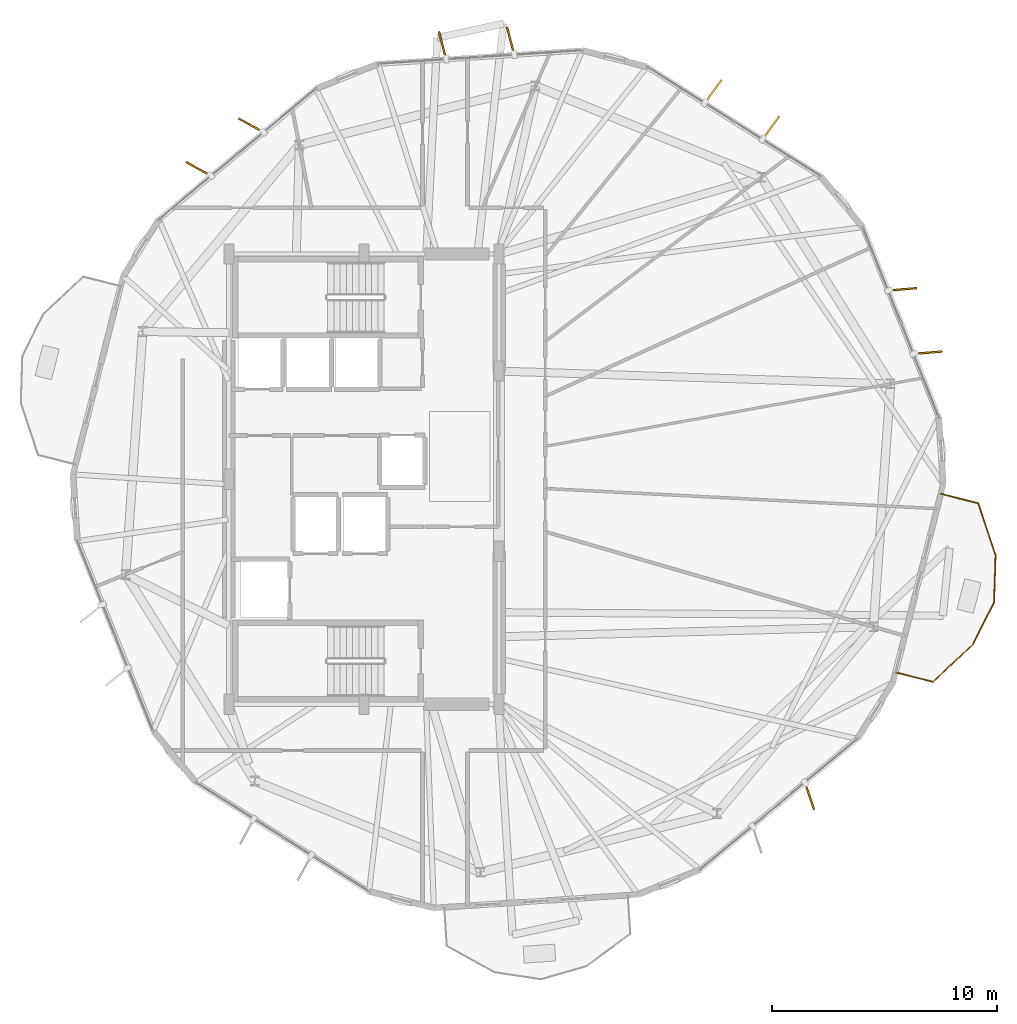
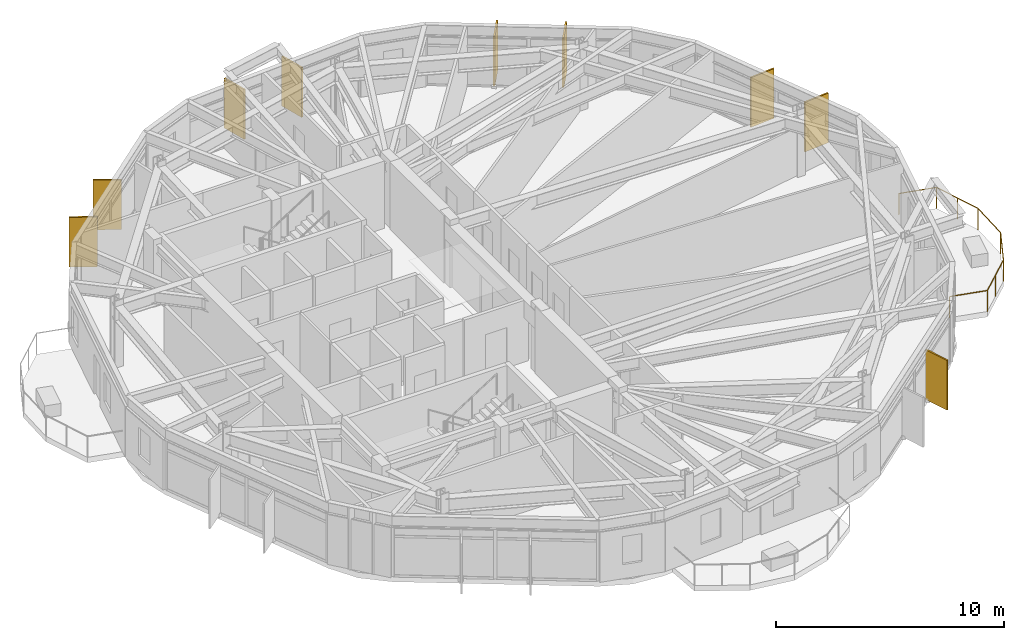
# One storey, part 24 of 24: 9 shading devices, 1 railing.
"""IFC4 building model written with IfcOpenShell, lengths in metres."""

from ifc_helpers import new_model, si_unit, direction, frame, origin, origin_2d, place, context, subcontext, project, spatial, rectangle, circle, extrude, material, layer, layer_set, type_object, element, save


model = new_model("IFC4")

# Units and contexts
model_context = context("Model", 3, precision=1e-05, world=origin(), true_north=direction((0.0, 1.0)))
body_context = subcontext(model_context, "Body", "Model", "MODEL_VIEW")
ifc_project = project(units=[si_unit("LENGTHUNIT", "METRE"), si_unit("AREAUNIT", "SQUARE_METRE"), si_unit("VOLUMEUNIT", "CUBIC_METRE"), si_unit("PLANEANGLEUNIT", "RADIAN"), si_unit("MASSUNIT", "GRAM", prefix="KILO")], contexts=[model_context])

# Site, building, storey
site_placement = place(None, origin())
site = spatial("IfcSite", under=ifc_project, at=site_placement, CompositionType="ELEMENT")
building_placement = place(site_placement, origin())
building = spatial("IfcBuilding", under=site, at=building_placement, Name="Soratama Intermodal Tower", CompositionType="ELEMENT")
storey_placement = place(building_placement, frame((0.0, 0.0, 178.60009765625)))
storey = spatial("IfcBuildingStorey", under=building, at=storey_placement, Name="L44", CompositionType="ELEMENT", Elevation=178.60009765625)

# Railing
ifc_material_1 = material(Name="Laminated glass and stainless steel balustrade", Category="steel")
railing_type = type_object("IfcRailingType", Name="RL-BAL-1150", PredefinedType="BALUSTRADE", material=ifc_material_1)
railing_placement = place(storey_placement, frame((64.21337890625, 24.35400390625, 0.0)))
element("IfcRailing", 1, at=railing_placement, inside=storey, type_object=railing_type, Name="L44 Balcony Balustrade 1", PredefinedType="BALUSTRADE", context=body_context, shape_type="SweptSolid", body=[
    extrude(circle(Radius=0.02392578125, at=origin_2d()), frame((0.0, 0.0, 1.1259765625), z_axis=(0.969344088151, -0.245707221641, 0.0), x_axis=(0.245707221641, 0.969344088151, 0.0)), (0.0, 0.0, 1.0), 1.719970703125),
    extrude(circle(Radius=0.02392578125, at=origin_2d()), frame((1.667236328125, -0.422607421875, 1.1259765625), z_axis=(0.316016812457, -0.948753589845, 0.0), x_axis=(0.948753589845, 0.316016812457, 0.0)), (0.0, 0.0, 1.0), 2.430419921875),
    extrude(circle(Radius=0.02392578125, at=origin_2d()), frame((2.435302734375, -2.728515625, 1.1259765625), z_axis=(-0.032154945717, -0.999482896035, 0.0), x_axis=(0.999482896035, -0.032154945717, 0.0)), (0.0, 0.0, 1.0), 2.095458984375),
    extrude(circle(Radius=0.02392578125, at=origin_2d()), frame((2.367919921875, -4.822998046875, 1.1259765625), z_axis=(-0.447772787119, -0.89414737662, 0.0), x_axis=(0.89414737662, -0.447772787119, 0.0)), (0.0, 0.0, 1.0), 2.09521484375),
    extrude(circle(Radius=0.02392578125, at=origin_2d()), frame((1.4296875, -6.696533203125, 1.1259765625), z_axis=(-0.72963743316, -0.683834202224, 0.0), x_axis=(0.683834202224, -0.72963743316, 0.0)), (0.0, 0.0, 1.0), 2.4306640625),
    extrude(circle(Radius=0.02392578125, at=origin_2d()), frame((-0.34375, -8.358642578125, 1.1259765625), z_axis=(-0.969344088151, 0.245707221641, 0.0), x_axis=(-0.245707221641, -0.969344088151, 0.0)), (0.0, 0.0, 1.0), 1.719970703125),
    extrude(circle(Radius=0.02099609375, at=origin_2d()), origin(), (0.0, 0.0, 1.0), 1.101806640625),
    extrude(circle(Radius=0.02099609375, at=origin_2d()), frame((1.667236328125, -0.422607421875, 0.0)), (0.0, 0.0, 1.0), 1.101806640625),
    extrude(circle(Radius=0.02099609375, at=origin_2d()), frame((2.05126953125, -1.57568359375, 0.0)), (0.0, 0.0, 1.0), 1.101806640625),
    extrude(circle(Radius=0.02099609375, at=origin_2d()), frame((2.435302734375, -2.728515625, 0.0)), (0.0, 0.0, 1.0), 1.101806640625),
    extrude(circle(Radius=0.02099609375, at=origin_2d()), frame((2.367919921875, -4.822998046875, 0.0)), (0.0, 0.0, 1.0), 1.101806640625),
    extrude(circle(Radius=0.02099609375, at=origin_2d()), frame((1.4296875, -6.696533203125, 0.0)), (0.0, 0.0, 1.0), 1.101806640625),
    extrude(circle(Radius=0.02099609375, at=origin_2d()), frame((0.54296875, -7.527587890625, 0.0)), (0.0, 0.0, 1.0), 1.101806640625),
    extrude(circle(Radius=0.02099609375, at=origin_2d()), frame((-0.34375, -8.358642578125, 0.0)), (0.0, 0.0, 1.0), 1.101806640625),
    extrude(circle(Radius=0.02099609375, at=origin_2d()), frame((-2.010986328125, -7.93603515625, 0.0)), (0.0, 0.0, 1.0), 1.101806640625),
])

# Shading devices
ifc_material_2 = material(Name="Champagne anodised aluminium solar fin", Category="aluminium")
ifc_layer = layer(ifc_material_2, 0.080078125)
ifc_layer_set = layer_set([ifc_layer], Name="Champagne anodised aluminium solar fin")
shading_device_type = type_object("IfcShadingDeviceType", Name="SH-FIN-1250", PredefinedType="USERDEFINED", material=ifc_layer_set)
for number, where, z_axis, x_axis, name in (
    (2, (56.6748046875, 40.60546875, 0.02001953125), (0.0, 0.0, 1.0), (0.587361571432, 0.809324647101, 0.0), "L44 Solar Fin F01-1"),
    (3, (54.1123046875, 42.22021484375, 0.02001953125), (0.0, 0.0, 1.0), (0.587361571432, 0.809324647101, 0.0), "L44 Solar Fin F01-2"),
    (4, (45.109375, 44.46630859375, 0.02001953125), (0.0, 0.0, 1.0), (-0.253420288991, 0.967356272077, 0.0), "L44 Solar Fin F02-1"),
    (5, (42.0869140625, 44.2666015625, 0.02001953125), (0.0, 0.0, 1.0), (-0.253420288991, 0.967356272077, 0.0), "L44 Solar Fin F02-2"),
    (6, (33.58056640625, 40.71533203125, 0.02001953125), (0.0, 0.0, 1.0), (-0.875970139009, 0.482365334125, 0.0), "L44 Solar Fin F03-1"),
    (7, (31.252685546875, 38.777099609375, 0.02001953125), (0.0, 0.0, 1.0), (-0.875970139009, 0.482365334125, 0.0), "L44 Solar Fin F03-2"),
    (8, (58.385986328125, 10.921875, 0.02001953125), (0.0, 0.0, 1.0), (0.315649036947, -0.948876011644, 0.0), "L44 Solar Fin F08-2"),
    (9, (63.647216796875, 30.6171875, 0.02001953125), (0.0, 0.0, 1.0), (0.996478239533, 0.083851762871, 0.0), "L44 Solar Fin F10-1"),
    (10, (62.523193359375, 33.429931640625, 0.02001953125), (0.0, 0.0, 1.0), (0.996478239533, 0.083851762871, 0.0), "L44 Solar Fin F10-2"),
):
    element("IfcShadingDevice", number, at=place(storey_placement, frame(where, z_axis=z_axis, x_axis=x_axis)), inside=storey, type_object=shading_device_type, Name=name, ObjectType="FIN", PredefinedType="USERDEFINED", context=body_context, shape_type="SweptSolid", body=[
        extrude(rectangle(XDim=1.25, YDim=0.080078125, at=origin_2d()), origin(), (0.0, 0.0, 1.0), 2.658935546875),
    ])

save(model, "model.ifc")
